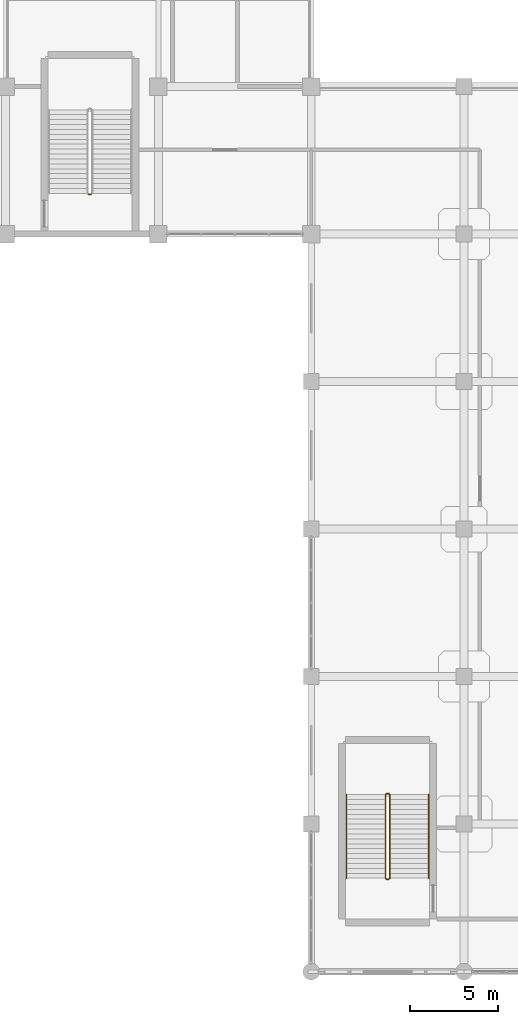
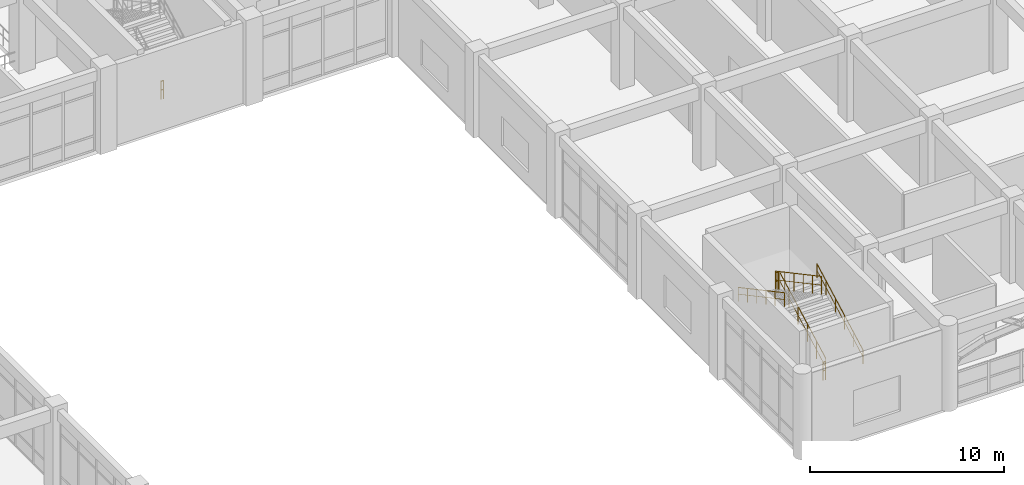
# One storey, part 106 of 114: 7 railings.
"""IFC4 building model written with IfcOpenShell, lengths in metres."""

from ifc_helpers import new_model, si_unit, derived_unit, direction, frame, origin, origin_2d, place, context, subcontext, project, spatial, circle, extrude, material, type_object, element, save


model = new_model("IFC4")

# Units and contexts
model_context = context("Model", 3, precision=1e-05, world=origin(), true_north=direction((0.0, 1.0)))
body_context = subcontext(model_context, "Body", "Model", "MODEL_VIEW")
ifc_project = project(units=[si_unit("LENGTHUNIT", "METRE"), si_unit("AREAUNIT", "SQUARE_METRE"), si_unit("VOLUMEUNIT", "CUBIC_METRE"), si_unit("PLANEANGLEUNIT", "RADIAN"), si_unit("MASSUNIT", "GRAM", prefix="KILO"), derived_unit("THERMALTRANSMITTANCEUNIT", [(si_unit("MASSUNIT", "GRAM", prefix="KILO"), 1), (si_unit("TIMEUNIT", "SECOND"), -3), (si_unit("THERMODYNAMICTEMPERATUREUNIT", "KELVIN"), -1)])], contexts=[model_context])

# Site, building, storey
site_placement = place(None, origin())
site = spatial("IfcSite", under=ifc_project, at=site_placement, CompositionType="ELEMENT")
building_placement = place(site_placement, origin())
building = spatial("IfcBuilding", under=site, at=building_placement, Name="Qinzheling Arcade Emporium", CompositionType="ELEMENT")
storey_placement = place(building_placement, frame((0.0, 0.0, 6.0)))
storey = spatial("IfcBuildingStorey", under=building, at=storey_placement, Name="L02", CompositionType="ELEMENT", Elevation=6.0)

# Railings
ifc_material_1 = material(Name="Galvanised powder-coated tubular steel", Category="steel")
railing_type_1 = type_object("IfcRailingType", Name="Painted Steel Stairwell Guard Railing 1150", PredefinedType="GUARDRAIL", material=ifc_material_1)
railing_1_placement = place(storey_placement, frame((91.8701171875, 44.27001953125, 0.0)))
element("IfcRailing", 1, at=railing_1_placement, inside=storey, type_object=railing_type_1, Name="L02 ST04 stair guard 4", PredefinedType="GUARDRAIL", context=body_context, shape_type="SweptSolid", body=[
    extrude(circle(Radius=0.02392578125, at=origin_2d()), frame((0.0, 0.0, 1.1259765625), z_axis=(-1.0, 0.0, 0.0), x_axis=(0.0, -1.0, 0.0)), (0.0, 0.0, 1.0), 0.150146484375),
    extrude(circle(Radius=0.01611328125, at=origin_2d()), frame((0.0, 0.0, 0.574951171875), z_axis=(-1.0, 0.0, 0.0), x_axis=(0.0, -1.0, 0.0)), (0.0, 0.0, 1.0), 0.150146484375),
    extrude(circle(Radius=0.02099609375, at=origin_2d()), origin(), (0.0, 0.0, 1.0), 1.101806640625),
    extrude(circle(Radius=0.02099609375, at=origin_2d()), frame((-0.150146484375, 0.0, 0.0)), (0.0, 0.0, 1.0), 1.101806640625),
])
railing_2_placement = place(storey_placement, frame((108.875, 5.320068359375, 0.14990234375)))
element("IfcRailing", 2, at=railing_2_placement, inside=storey, type_object=railing_type_1, Name="L02 ST05 stair guard 1", PredefinedType="GUARDRAIL", context=body_context, shape_type="SweptSolid", body=[
    extrude(circle(Radius=0.02392578125, at=origin_2d()), frame((0.0, 0.0, 1.1259765625), z_axis=(0.0, 0.881476609435, 0.47222768557), x_axis=(-1.0, 0.0, 0.0)), (0.0, 0.0, 1.0), 5.400146484375),
    extrude(circle(Radius=0.01611328125, at=origin_2d()), frame((0.0, 0.0, 0.574951171875), z_axis=(0.0, 0.881476609435, 0.47222768557), x_axis=(-1.0, 0.0, 0.0)), (0.0, 0.0, 1.0), 5.400146484375),
    extrude(circle(Radius=0.02099609375, at=origin_2d()), origin(), (0.0, 0.0, 1.0), 1.101806640625),
    extrude(circle(Radius=0.02099609375, at=origin_2d()), frame((0.0, 0.951904296875, 0.510009765625)), (0.0, 0.0, 1.0), 1.101806640625),
    extrude(circle(Radius=0.02099609375, at=origin_2d()), frame((0.0, 1.904052734375, 1.02001953125)), (0.0, 0.0, 1.0), 1.101806640625),
    extrude(circle(Radius=0.02099609375, at=origin_2d()), frame((0.0, 2.85595703125, 1.530029296875)), (0.0, 0.0, 1.0), 1.101806640625),
    extrude(circle(Radius=0.02099609375, at=origin_2d()), frame((0.0, 3.80810546875, 2.0400390625)), (0.0, 0.0, 1.0), 1.101806640625),
    extrude(circle(Radius=0.02099609375, at=origin_2d()), frame((0.0, 4.760009765625, 2.550048828125)), (0.0, 0.0, 1.0), 1.101806640625),
])
railing_3_placement = place(storey_placement, frame((108.824951171875, 10.1298828125, 2.699951171875)))
element("IfcRailing", 3, at=railing_3_placement, inside=storey, type_object=railing_type_1, Name="L02 ST05 stair guard 2", PredefinedType="GUARDRAIL", context=body_context, shape_type="SweptSolid", body=[
    extrude(circle(Radius=0.02392578125, at=origin_2d()), frame((0.0, 0.0, 1.1259765625), z_axis=(-1.0, 0.0, 0.0), x_axis=(0.0, -1.0, 0.0)), (0.0, 0.0, 1.0), 0.14990234375),
    extrude(circle(Radius=0.01611328125, at=origin_2d()), frame((0.0, 0.0, 0.574951171875), z_axis=(-1.0, 0.0, 0.0), x_axis=(0.0, -1.0, 0.0)), (0.0, 0.0, 1.0), 0.14990234375),
    extrude(circle(Radius=0.02099609375, at=origin_2d()), origin(), (0.0, 0.0, 1.0), 1.101806640625),
    extrude(circle(Radius=0.02099609375, at=origin_2d()), frame((-0.14990234375, 0.0, 0.0)), (0.0, 0.0, 1.0), 1.101806640625),
])
railing_4_placement = place(storey_placement, frame((108.625, 10.080078125, 2.85009765625)))
element("IfcRailing", 4, at=railing_4_placement, inside=storey, type_object=railing_type_1, Name="L02 ST05 stair guard 3", PredefinedType="GUARDRAIL", context=body_context, shape_type="SweptSolid", body=[
    extrude(circle(Radius=0.02392578125, at=origin_2d()), frame((0.0, 0.0, 1.1259765625), z_axis=(0.0, -0.881495428514, 0.472192555542), x_axis=(1.0, 0.0, 0.0)), (0.0, 0.0, 1.0), 5.39990234375),
    extrude(circle(Radius=0.01611328125, at=origin_2d()), frame((0.0, 0.0, 0.574951171875), z_axis=(0.0, -0.881495428514, 0.472192555542), x_axis=(1.0, 0.0, 0.0)), (0.0, 0.0, 1.0), 5.39990234375),
    extrude(circle(Radius=0.02099609375, at=origin_2d()), origin(), (0.0, 0.0, 1.0), 1.101806640625),
    extrude(circle(Radius=0.02099609375, at=origin_2d()), frame((0.0, -0.951904296875, 0.510009765625)), (0.0, 0.0, 1.0), 1.101806640625),
    extrude(circle(Radius=0.02099609375, at=origin_2d()), frame((0.0, -1.904052734375, 1.02001953125)), (0.0, 0.0, 1.0), 1.101806640625),
    extrude(circle(Radius=0.02099609375, at=origin_2d()), frame((0.0, -2.85595703125, 1.52978515625)), (0.0, 0.0, 1.0), 1.101806640625),
    extrude(circle(Radius=0.02099609375, at=origin_2d()), frame((0.0, -3.80810546875, 2.039794921875)), (0.0, 0.0, 1.0), 1.101806640625),
    extrude(circle(Radius=0.02099609375, at=origin_2d()), frame((0.0, -4.760009765625, 2.5498046875)), (0.0, 0.0, 1.0), 1.101806640625),
])
railing_5_placement = place(storey_placement, frame((108.824951171875, 5.27001953125, 0.0)))
element("IfcRailing", 5, at=railing_5_placement, inside=storey, type_object=railing_type_1, Name="L02 ST05 stair guard 4", PredefinedType="GUARDRAIL", context=body_context, shape_type="SweptSolid", body=[
    extrude(circle(Radius=0.02392578125, at=origin_2d()), frame((0.0, 0.0, 1.1259765625), z_axis=(-1.0, 0.0, 0.0), x_axis=(0.0, -1.0, 0.0)), (0.0, 0.0, 1.0), 0.14990234375),
    extrude(circle(Radius=0.01611328125, at=origin_2d()), frame((0.0, 0.0, 0.574951171875), z_axis=(-1.0, 0.0, 0.0), x_axis=(0.0, -1.0, 0.0)), (0.0, 0.0, 1.0), 0.14990234375),
    extrude(circle(Radius=0.02099609375, at=origin_2d()), origin(), (0.0, 0.0, 1.0), 1.101806640625),
    extrude(circle(Radius=0.02099609375, at=origin_2d()), frame((-0.14990234375, 0.0, 0.0)), (0.0, 0.0, 1.0), 1.101806640625),
])
ifc_material_2 = material(Name="Brushed stainless steel 304", Category="steel")
railing_type_2 = type_object("IfcRailingType", Name="Stainless Steel Wall Handrail 900", PredefinedType="HANDRAIL", material=ifc_material_2)
railing_6_placement = place(storey_placement, frame((111.094970703125, 5.320068359375, 0.14990234375)))
element("IfcRailing", 6, at=railing_6_placement, inside=storey, type_object=railing_type_2, Name="L02 ST05 stair handrail 1", PredefinedType="HANDRAIL", context=body_context, shape_type="SweptSolid", body=[
    extrude(circle(Radius=0.02392578125, at=origin_2d()), frame((0.0, 0.0, 0.8759765625), z_axis=(0.0, 0.881476609435, 0.47222768557), x_axis=(-1.0, 0.0, 0.0)), (0.0, 0.0, 1.0), 5.400146484375),
    extrude(circle(Radius=0.01611328125, at=origin_2d()), frame((0.0, 0.0, 0.449951171875), z_axis=(0.0, 0.881476609435, 0.47222768557), x_axis=(-1.0, 0.0, 0.0)), (0.0, 0.0, 1.0), 5.400146484375),
    extrude(circle(Radius=0.02099609375, at=origin_2d()), origin(), (0.0, 0.0, 1.0), 0.851806640625),
    extrude(circle(Radius=0.02099609375, at=origin_2d()), frame((0.0, 0.951904296875, 0.510009765625)), (0.0, 0.0, 1.0), 0.851806640625),
    extrude(circle(Radius=0.02099609375, at=origin_2d()), frame((0.0, 1.904052734375, 1.02001953125)), (0.0, 0.0, 1.0), 0.851806640625),
    extrude(circle(Radius=0.02099609375, at=origin_2d()), frame((0.0, 2.85595703125, 1.530029296875)), (0.0, 0.0, 1.0), 0.851806640625),
    extrude(circle(Radius=0.02099609375, at=origin_2d()), frame((0.0, 3.80810546875, 2.0400390625)), (0.0, 0.0, 1.0), 0.851806640625),
    extrude(circle(Radius=0.02099609375, at=origin_2d()), frame((0.0, 4.760009765625, 2.550048828125)), (0.0, 0.0, 1.0), 0.851806640625),
])
railing_7_placement = place(storey_placement, frame((106.405029296875, 10.080078125, 2.85009765625)))
element("IfcRailing", 7, at=railing_7_placement, inside=storey, type_object=railing_type_2, Name="L02 ST05 stair handrail 2", PredefinedType="HANDRAIL", context=body_context, shape_type="SweptSolid", body=[
    extrude(circle(Radius=0.02392578125, at=origin_2d()), frame((0.0, 0.0, 0.8759765625), z_axis=(0.0, -0.881495428514, 0.472192555542), x_axis=(1.0, 0.0, 0.0)), (0.0, 0.0, 1.0), 5.39990234375),
    extrude(circle(Radius=0.01611328125, at=origin_2d()), frame((0.0, 0.0, 0.449951171875), z_axis=(0.0, -0.881495428514, 0.472192555542), x_axis=(1.0, 0.0, 0.0)), (0.0, 0.0, 1.0), 5.39990234375),
    extrude(circle(Radius=0.02099609375, at=origin_2d()), origin(), (0.0, 0.0, 1.0), 0.851806640625),
    extrude(circle(Radius=0.02099609375, at=origin_2d()), frame((0.0, -0.951904296875, 0.510009765625)), (0.0, 0.0, 1.0), 0.851806640625),
    extrude(circle(Radius=0.02099609375, at=origin_2d()), frame((0.0, -1.904052734375, 1.02001953125)), (0.0, 0.0, 1.0), 0.851806640625),
    extrude(circle(Radius=0.02099609375, at=origin_2d()), frame((0.0, -2.85595703125, 1.52978515625)), (0.0, 0.0, 1.0), 0.851806640625),
    extrude(circle(Radius=0.02099609375, at=origin_2d()), frame((0.0, -3.80810546875, 2.039794921875)), (0.0, 0.0, 1.0), 0.851806640625),
    extrude(circle(Radius=0.02099609375, at=origin_2d()), frame((0.0, -4.760009765625, 2.5498046875)), (0.0, 0.0, 1.0), 0.851806640625),
])

save(model, "model.ifc")
